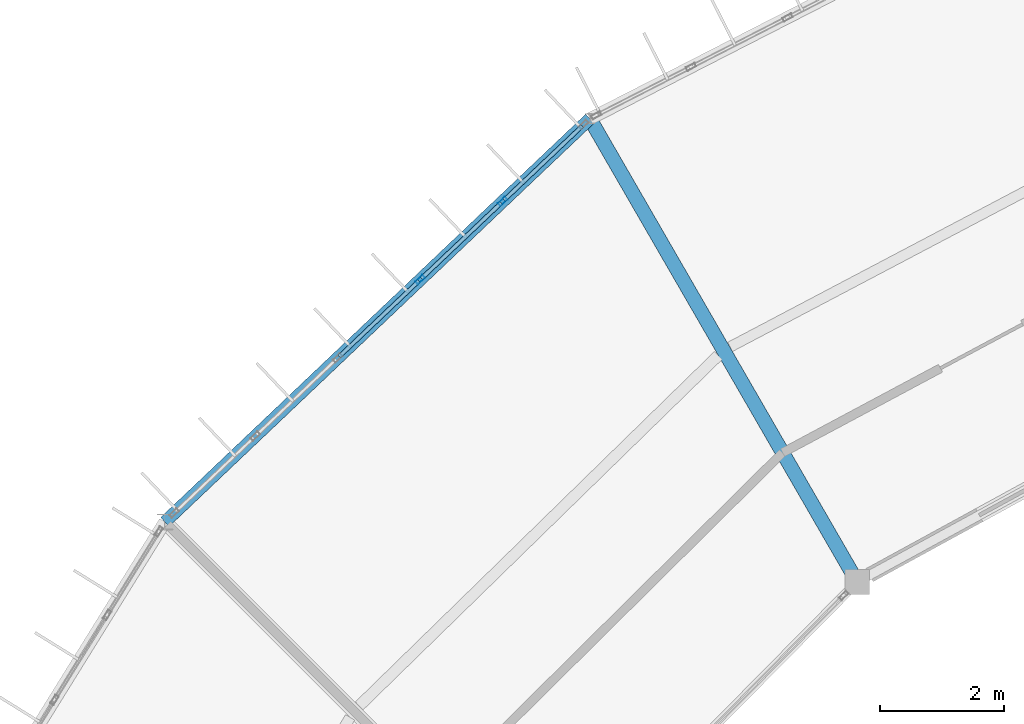
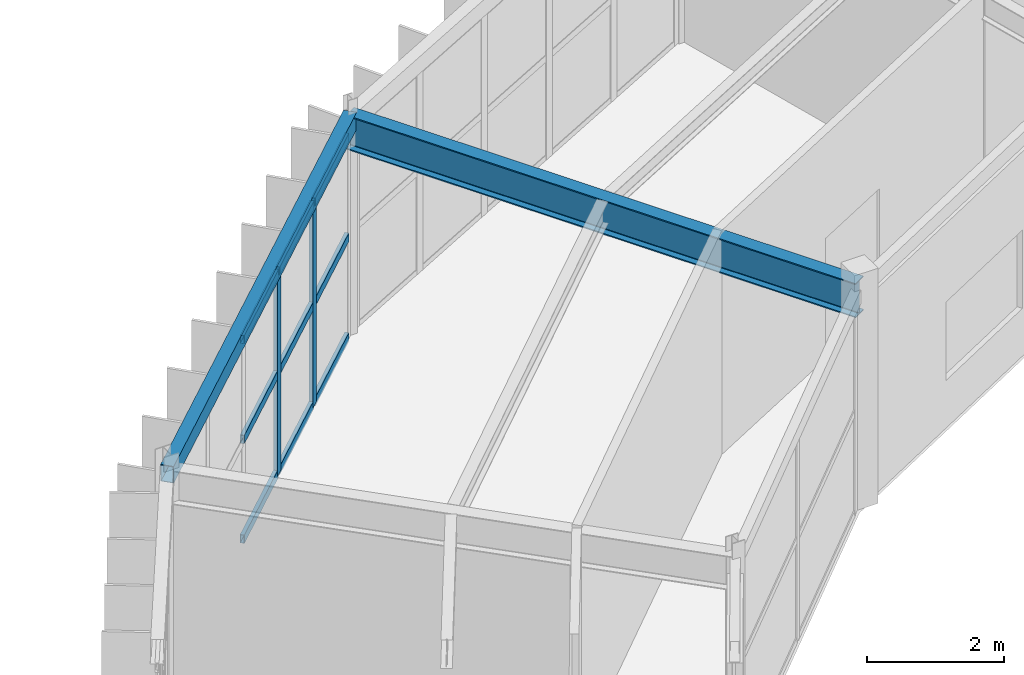
# One storey, part 68 of 130: 11 members, 2 beams, 1 element without a shape of its own.
"""IFC4 building model written with IfcOpenShell, lengths in metres."""

from ifc_helpers import new_model, si_unit, direction, frame, origin, origin_2d, place, context, subcontext, project, spatial, hollow_rectangle, i_section, extrude, material, material_profile, profile_set, type_object, element, aggregate, save


model = new_model("IFC4")

# Units and contexts
model_context = context("Model", 3, precision=1e-05, world=origin(), true_north=direction((0.0, 1.0)))
body_context = subcontext(model_context, "Body", "Model", "MODEL_VIEW")
ifc_project = project(units=[si_unit("LENGTHUNIT", "METRE"), si_unit("AREAUNIT", "SQUARE_METRE"), si_unit("VOLUMEUNIT", "CUBIC_METRE"), si_unit("PLANEANGLEUNIT", "RADIAN"), si_unit("MASSUNIT", "GRAM", prefix="KILO")], contexts=[model_context])

# Site, building, storey
site_placement = place(None, origin())
site = spatial("IfcSite", under=ifc_project, at=site_placement, CompositionType="ELEMENT")
building_placement = place(site_placement, origin())
building = spatial("IfcBuilding", under=site, at=building_placement, Name="Karori Crest Natural Sciences Institute", CompositionType="ELEMENT")
storey_placement = place(building_placement, frame((0.0, 0.0, 17.5)))
storey = spatial("IfcBuildingStorey", under=building, at=storey_placement, Name="L04", CompositionType="ELEMENT", Elevation=17.5)

# Beams
ifc_material_1 = material(Name="Structural steel AS/NZS 3679.1 Grade 350", Category="steel")
ifc_material_profile_1 = material_profile(ifc_material_1, i_section(OverallWidth=0.22900390625, OverallDepth=0.612060546875, WebThickness=0.011962890625, FlangeThickness=0.01953125, FilletRadius=0.013916015625, at=origin_2d()), Name="610UB125")
ifc_profile_set_1 = profile_set([ifc_material_profile_1], Name="Structural steel AS/NZS 3679.1 Grade 350")
beam_type_1 = type_object("IfcBeamType", Name="BT-04", PredefinedType="BEAM", material=ifc_profile_set_1)
beam_1_placement = place(storey_placement, frame((54.199951171875, 77.785888671875, 3.634033203125), z_axis=(-0.499995216735, 0.866028165386, 0.0), x_axis=(-0.866028165386, -0.499995216735, 0.0)))
element("IfcBeam", 1, at=beam_1_placement, inside=storey, type_object=beam_type_1, Name="Beam B-0483", PredefinedType="BEAM", context=body_context, shape_type="SweptSolid", body=[
    extrude(i_section(OverallWidth=0.22900390625, OverallDepth=0.612060546875, WebThickness=0.011962890625, FlangeThickness=0.01953125, FilletRadius=0.013916015625, at=origin_2d()), origin(), (0.0, 0.0, 1.0), 8.60009765625),
])
ifc_material_2 = material(Name="Hollow structural steel AS/NZS 1163 Grade C350", Category="steel")
ifc_material_profile_2 = material_profile(ifc_material_2, hollow_rectangle(XDim=0.199951171875, YDim=0.300048828125, WallThickness=0.010009765625, at=origin_2d()), Name="RHS300x200x10")
ifc_profile_set_2 = profile_set([ifc_material_profile_2], Name="Hollow structural steel AS/NZS 1163 Grade C350")
beam_type_2 = type_object("IfcBeamType", Name="BT-15", PredefinedType="SPANDREL", material=ifc_profile_set_2)
beam_2_placement = place(storey_placement, frame((49.89990234375, 85.23388671875, 3.7900390625), z_axis=(-0.72546900706, -0.688254836376, 0.0), x_axis=(0.688254836376, -0.72546900706, 0.0)))
element("IfcBeam", 2, at=beam_2_placement, inside=storey, type_object=beam_type_2, Name="Beam B-0481", PredefinedType="SPANDREL", context=body_context, shape_type="SweptSolid", body=[
    extrude(hollow_rectangle(XDim=0.199951171875, YDim=0.300048828125, WallThickness=0.010009765625, at=origin_2d()), origin(), (0.0, 0.0, 1.0), 9.420654296875),
])

# Curtain wall, members
ifc_material_3 = material(Name="Anodised architectural aluminium 6063-T6", Category="aluminium")
curtain_wall_type = type_object("IfcCurtainWallType", Name="CWT-09", PredefinedType="NOTDEFINED", material=ifc_material_3)
curtain_wall_placement = place(storey_placement, origin())
curtain_wall = element("IfcCurtainWall", 3, at=curtain_wall_placement, inside=storey, type_object=curtain_wall_type, Name="Curtain wall CW-0148", PredefinedType="NOTDEFINED")
ifc_material_profile_3 = material_profile(ifc_material_3, hollow_rectangle(XDim=0.06494140625, YDim=0.159912109375, WallThickness=0.00390625, at=origin_2d()), Name="CWM160x65x4")
ifc_profile_set_3 = profile_set([ifc_material_profile_3], Name="Anodised architectural aluminium 6063-T6")
member_type_1 = type_object("IfcMemberType", Name="CWM-01", PredefinedType="MULLION", material=ifc_profile_set_3)
member_1_placement = place(storey_placement, frame((47.17138671875, 82.645263671875, 0.0), z_axis=(0.0, 0.0, 1.0), x_axis=(-0.688250542104, 0.725473081026, 0.0)))
member_1 = element("IfcMember", 4, at=member_1_placement, type_object=member_type_1, Name="CW-0148 mullion 4", PredefinedType="MULLION", context=body_context, shape_type="SweptSolid", body=[
    extrude(hollow_rectangle(XDim=0.06494140625, YDim=0.159912109375, WallThickness=0.00390625, at=origin_2d()), origin(), (0.0, 0.0, 1.0), 3.625),
])
member_2_placement = place(storey_placement, frame((48.498046875, 83.90380859375, 0.0), z_axis=(0.0, 0.0, 1.0), x_axis=(-0.688250542104, 0.725473081026, 0.0)))
member_2 = element("IfcMember", 5, at=member_2_placement, type_object=member_type_1, Name="CW-0148 mullion 5", PredefinedType="MULLION", context=body_context, shape_type="SweptSolid", body=[
    extrude(hollow_rectangle(XDim=0.06494140625, YDim=0.159912109375, WallThickness=0.00390625, at=origin_2d()), origin(), (0.0, 0.0, 1.0), 3.625),
])
ifc_material_profile_4 = material_profile(ifc_material_3, hollow_rectangle(XDim=0.06494140625, YDim=0.14990234375, WallThickness=0.00390625, at=origin_2d()), Name="CWT150x65x4")
ifc_profile_set_4 = profile_set([ifc_material_profile_4], Name="Anodised architectural aluminium 6063-T6")
member_type_2 = type_object("IfcMemberType", Name="CWT-TR2", PredefinedType="USERDEFINED", material=ifc_profile_set_4)
member_3_placement = place(storey_placement, frame((45.86865234375, 81.4091796875, 0.032470703125), z_axis=(0.725414069786, 0.688312739499, 0.0), x_axis=(-0.688312739499, 0.725414069786, 0.0)))
member_3 = element("IfcMember", 6, at=member_3_placement, type_object=member_type_2, Name="CW-0148 transom 3.1", ObjectType="TRANSOM", PredefinedType="USERDEFINED", context=body_context, shape_type="SweptSolid", body=[
    extrude(hollow_rectangle(XDim=0.06494140625, YDim=0.14990234375, WallThickness=0.00390625, at=origin_2d()), origin(), (0.0, 0.0, 1.0), 1.763427734375),
])
member_4_placement = place(storey_placement, frame((45.86865234375, 81.4091796875, 1.8125), z_axis=(0.725414069786, 0.688312739499, 0.0), x_axis=(-0.688312739499, 0.725414069786, 0.0)))
member_4 = element("IfcMember", 7, at=member_4_placement, type_object=member_type_2, Name="CW-0148 transom 3.2", ObjectType="TRANSOM", PredefinedType="USERDEFINED", context=body_context, shape_type="SweptSolid", body=[
    extrude(hollow_rectangle(XDim=0.06494140625, YDim=0.14990234375, WallThickness=0.00390625, at=origin_2d()), origin(), (0.0, 0.0, 1.0), 1.763427734375),
])
member_5_placement = place(storey_placement, frame((45.86865234375, 81.4091796875, 3.592529296875), z_axis=(0.725414069786, 0.688312739499, 0.0), x_axis=(-0.688312739499, 0.725414069786, 0.0)))
member_5 = element("IfcMember", 8, at=member_5_placement, type_object=member_type_2, Name="CW-0148 transom 3.3", ObjectType="TRANSOM", PredefinedType="USERDEFINED", context=body_context, shape_type="SweptSolid", body=[
    extrude(hollow_rectangle(XDim=0.06494140625, YDim=0.14990234375, WallThickness=0.00390625, at=origin_2d()), origin(), (0.0, 0.0, 1.0), 1.763427734375),
])
member_6_placement = place(storey_placement, frame((47.195068359375, 82.667724609375, 0.032470703125), z_axis=(0.725483196334, 0.688239879575, 0.0), x_axis=(-0.688239879575, 0.725483196334, 0.0)))
member_6 = element("IfcMember", 9, at=member_6_placement, type_object=member_type_2, Name="CW-0148 transom 4.1", ObjectType="TRANSOM", PredefinedType="USERDEFINED", context=body_context, shape_type="SweptSolid", body=[
    extrude(hollow_rectangle(XDim=0.06494140625, YDim=0.14990234375, WallThickness=0.00390625, at=origin_2d()), origin(), (0.0, 0.0, 1.0), 1.763427734375),
])
member_7_placement = place(storey_placement, frame((47.195068359375, 82.667724609375, 1.8125), z_axis=(0.725483196334, 0.688239879575, 0.0), x_axis=(-0.688239879575, 0.725483196334, 0.0)))
member_7 = element("IfcMember", 10, at=member_7_placement, type_object=member_type_2, Name="CW-0148 transom 4.2", ObjectType="TRANSOM", PredefinedType="USERDEFINED", context=body_context, shape_type="SweptSolid", body=[
    extrude(hollow_rectangle(XDim=0.06494140625, YDim=0.14990234375, WallThickness=0.00390625, at=origin_2d()), origin(), (0.0, 0.0, 1.0), 1.763427734375),
])
member_8_placement = place(storey_placement, frame((47.195068359375, 82.667724609375, 3.592529296875), z_axis=(0.725483196334, 0.688239879575, 0.0), x_axis=(-0.688239879575, 0.725483196334, 0.0)))
member_8 = element("IfcMember", 11, at=member_8_placement, type_object=member_type_2, Name="CW-0148 transom 4.3", ObjectType="TRANSOM", PredefinedType="USERDEFINED", context=body_context, shape_type="SweptSolid", body=[
    extrude(hollow_rectangle(XDim=0.06494140625, YDim=0.14990234375, WallThickness=0.00390625, at=origin_2d()), origin(), (0.0, 0.0, 1.0), 1.763427734375),
])
member_9_placement = place(storey_placement, frame((48.521484375, 83.926025390625, 0.032470703125), z_axis=(0.725478143339, 0.688245205967, 0.0), x_axis=(-0.688245205967, 0.725478143339, 0.0)))
member_9 = element("IfcMember", 12, at=member_9_placement, type_object=member_type_2, Name="CW-0148 transom 5.1", ObjectType="TRANSOM", PredefinedType="USERDEFINED", context=body_context, shape_type="SweptSolid", body=[
    extrude(hollow_rectangle(XDim=0.06494140625, YDim=0.14990234375, WallThickness=0.00390625, at=origin_2d()), origin(), (0.0, 0.0, 1.0), 1.73095703125),
])
member_10_placement = place(storey_placement, frame((48.521484375, 83.926025390625, 1.8125), z_axis=(0.725478143339, 0.688245205967, 0.0), x_axis=(-0.688245205967, 0.725478143339, 0.0)))
member_10 = element("IfcMember", 13, at=member_10_placement, type_object=member_type_2, Name="CW-0148 transom 5.2", ObjectType="TRANSOM", PredefinedType="USERDEFINED", context=body_context, shape_type="SweptSolid", body=[
    extrude(hollow_rectangle(XDim=0.06494140625, YDim=0.14990234375, WallThickness=0.00390625, at=origin_2d()), origin(), (0.0, 0.0, 1.0), 1.73095703125),
])
member_11_placement = place(storey_placement, frame((48.521484375, 83.926025390625, 3.592529296875), z_axis=(0.725478143339, 0.688245205967, 0.0), x_axis=(-0.688245205967, 0.725478143339, 0.0)))
member_11 = element("IfcMember", 14, at=member_11_placement, type_object=member_type_2, Name="CW-0148 transom 5.3", ObjectType="TRANSOM", PredefinedType="USERDEFINED", context=body_context, shape_type="SweptSolid", body=[
    extrude(hollow_rectangle(XDim=0.06494140625, YDim=0.14990234375, WallThickness=0.00390625, at=origin_2d()), origin(), (0.0, 0.0, 1.0), 1.73095703125),
])
aggregate(curtain_wall, [member_1, member_2, member_3, member_4, member_5, member_6, member_7, member_8, member_9, member_10, member_11])

save(model, "model.ifc")
